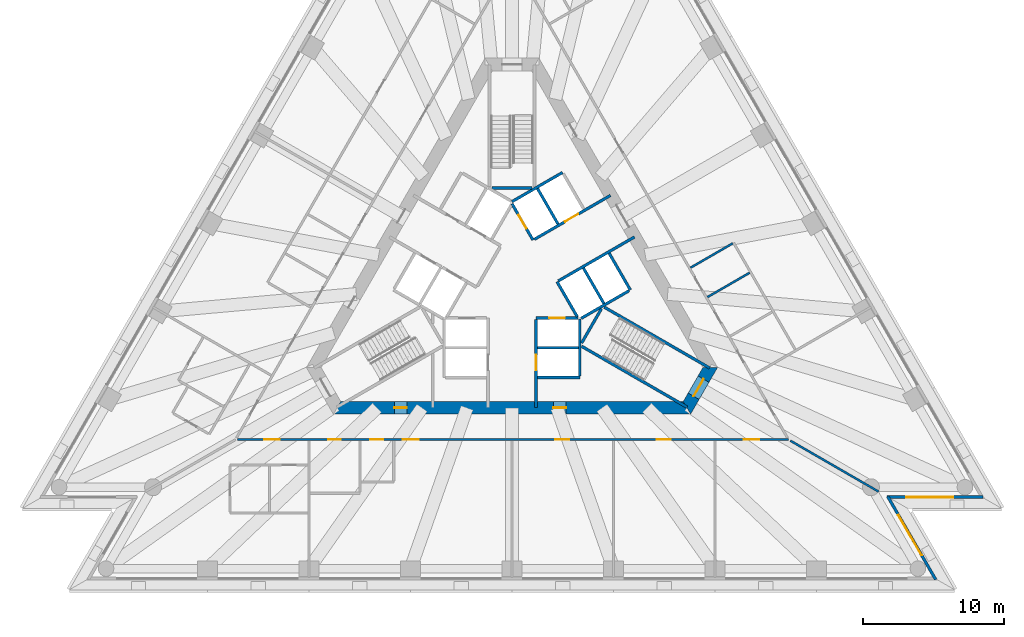
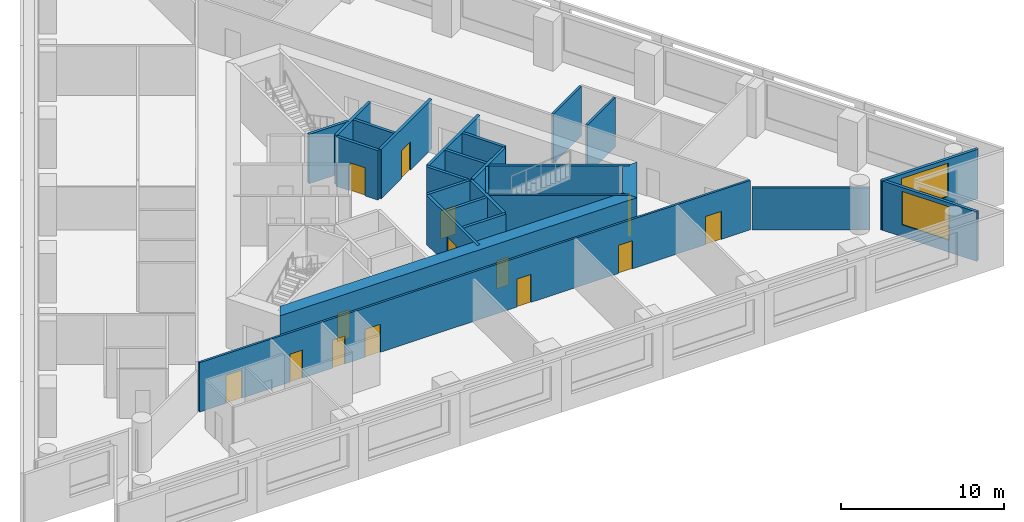
# One storey, part 5 of 11: 26 walls, 14 doors, 2 windows, 16 openings.
"""IFC4 building model written with IfcOpenShell, lengths in metres."""

from ifc_helpers import new_model, si_unit, direction, frame, frame_2d, origin, place, context, subcontext, project, spatial, polyline, rectangle, outline, extrude, material, layer, layer_set, layer_usage, type_object, element, fill, save


model = new_model("IFC4")

# Units and contexts
model_context = context("Model", 3, precision=1e-05, world=origin(), true_north=direction((0.0, 1.0)))
body_context = subcontext(model_context, "Body", "Model", "MODEL_VIEW")
ifc_project = project(units=[si_unit("LENGTHUNIT", "METRE"), si_unit("AREAUNIT", "SQUARE_METRE"), si_unit("VOLUMEUNIT", "CUBIC_METRE"), si_unit("PLANEANGLEUNIT", "RADIAN"), si_unit("MASSUNIT", "GRAM", prefix="KILO")], contexts=[model_context])

# Site, building, storey
site_placement = place(None, origin())
site = spatial("IfcSite", under=ifc_project, at=site_placement, CompositionType="ELEMENT")
building_placement = place(site_placement, origin())
building = spatial("IfcBuilding", under=site, at=building_placement, Name="Triada Interchange Tower", CompositionType="ELEMENT")
storey_placement = place(building_placement, frame((0.0, 0.0, 83.300048828125)))
storey = spatial("IfcBuildingStorey", under=building, at=storey_placement, Name="L18", CompositionType="ELEMENT", Elevation=83.300048828125)

# Walls
ifc_material_1 = material(Name="Concrete C30/37", Category="concrete")
ifc_layer_1 = layer(ifc_material_1, 0.199951171875)
ifc_layer_set_1 = layer_set([ifc_layer_1], Name="CORE WALL 200 EI 120")
wall_type_1 = type_object("IfcWallType", Name="CORE WALL 200 EI 120", PredefinedType="SOLIDWALL", material=ifc_layer_set_1)
wall_1_placement = place(storey_placement, frame((1.800048828125, -4.800048828125, 0.0), z_axis=(0.0, 0.0, 1.0), x_axis=(1.0, 0.0, 0.0)))
element("IfcWall", 1, at=wall_1_placement, inside=storey, type_object=wall_type_1, Name="Wall L18 45", PredefinedType="SOLIDWALL", context=body_context, shape_type="SweptSolid", body=[
    extrude(rectangle(XDim=2.89990234375, YDim=0.199951171875, at=frame_2d((1.449951171875, 0.0))), origin(), (0.0, 0.0, 1.0), 3.699951171875),
])
wall_2_placement = place(storey_placement, frame((1.800048828125, -6.89990234375, 0.0), z_axis=(0.0, 0.0, 1.0), x_axis=(1.0, 0.0, 0.0)))
element("IfcWall", 2, at=wall_2_placement, inside=storey, type_object=wall_type_1, Name="Wall L18 48", PredefinedType="SOLIDWALL", context=body_context, shape_type="SweptSolid", body=[
    extrude(rectangle(XDim=3.0, YDim=0.199951171875, at=frame_2d((1.5, 0.0))), origin(), (0.0, 0.0, 1.0), 3.699951171875),
])

# Wall, opening, door
wall_3_placement = place(storey_placement, frame((1.702880859375, -2.699951171875, 0.0), z_axis=(0.0, 0.0, 1.0), x_axis=(1.0, 0.0, 0.0)))
wall_3 = element("IfcWall", 3, at=wall_3_placement, inside=storey, type_object=wall_type_1, Name="Wall L18 51", PredefinedType="SOLIDWALL", context=body_context, shape_type="SweptSolid", body=[
    extrude(rectangle(XDim=2.97314453125, YDim=0.199951171875, at=frame_2d((1.486572265625, 0.0))), origin(), (0.0, 0.0, 1.0), 3.699951171875),
])
opening_1_placement = place(wall_3_placement, frame((0.93603515625, 0.0, 0.0)))
opening_1 = element("IfcOpeningElement", 4, at=opening_1_placement, cuts=wall_3, Name="Opening LD-LR1", PredefinedType="OPENING", context=body_context, shape_type="SweptSolid", body=[
    extrude(rectangle(XDim=1.10009765625, YDim=2.10009765625, at=frame_2d((0.550048828125, 1.050048828125))), frame((0.0, 0.10986328125, 0.0), z_axis=(0.0, -1.0, 0.0), x_axis=(1.0, 0.0, 0.0)), (0.0, 0.0, 1.0), 0.219970703125),
])
ifc_material_2 = material(Name="Steel S235 door leaf", Category="steel")
door_type_1 = type_object("IfcDoorType", Name="LIFT LANDING DOOR 1100 EI 120", OperationType="SLIDING_TO_LEFT", PredefinedType="DOOR", material=ifc_material_2)
door_1_placement = place(opening_1_placement, origin())
door_1 = element("IfcDoor", 5, at=door_1_placement, inside=storey, type_object=door_type_1, Name="LR1 landing door L18", OperationType="SLIDING_TO_LEFT", OverallHeight=2.10009765625, OverallWidth=1.10009765625, PredefinedType="DOOR", context=body_context, shape_type="SweptSolid", body=[
    extrude(rectangle(XDim=1.10009765625, YDim=2.10009765625, at=frame_2d((0.550048828125, 1.050048828125))), frame((0.0, 0.02490234375, 0.0), z_axis=(0.0, -1.0, 0.0), x_axis=(1.0, 0.0, 0.0)), (0.0, 0.0, 1.0), 0.050048828125),
])
fill(opening_1, door_1)

# Wall
wall_4_placement = place(storey_placement, frame((-0.001953125, 5.541015625, 0.0), z_axis=(0.0, 0.0, 1.0), x_axis=(0.86600155993, 0.500041296494, 0.0)))
element("IfcWall", 6, at=wall_4_placement, inside=storey, type_object=wall_type_1, Name="Wall L18 52", PredefinedType="SOLIDWALL", context=body_context, shape_type="SweptSolid", body=[
    extrude(rectangle(XDim=4.131591796875, YDim=0.199951171875, at=frame_2d((2.06591796875, 0.0))), origin(), (0.0, 0.0, 1.0), 3.699951171875),
])

# Wall, opening, door
wall_5_placement = place(storey_placement, frame((0.0, 5.39990234375, 0.0), z_axis=(0.0, 0.0, 1.0), x_axis=(0.500103862429, -0.865965430478, 0.0)))
wall_5 = element("IfcWall", 7, at=wall_5_placement, inside=storey, type_object=wall_type_1, Name="Wall L18 53", PredefinedType="SOLIDWALL", context=body_context, shape_type="SweptSolid", body=[
    extrude(rectangle(XDim=2.973388671875, YDim=0.199951171875, at=frame_2d((1.48681640625, 0.0))), origin(), (0.0, 0.0, 1.0), 3.699951171875),
])
opening_2_placement = place(wall_5_placement, frame((0.93701171875, 0.0, 0.0)))
opening_2 = element("IfcOpeningElement", 8, at=opening_2_placement, cuts=wall_5, Name="Opening LD-LR5", PredefinedType="OPENING", context=body_context, shape_type="SweptSolid", body=[
    extrude(rectangle(XDim=1.10009765625, YDim=2.10009765625, at=frame_2d((0.550048828125, 1.050048828125))), frame((0.0, 0.10986328125, 0.0), z_axis=(0.0, -1.0, 0.0), x_axis=(1.0, 0.0, 0.0)), (0.0, 0.0, 1.0), 0.219970703125),
])
door_2_placement = place(opening_2_placement, origin())
door_2 = element("IfcDoor", 9, at=door_2_placement, inside=storey, type_object=door_type_1, Name="LR5 landing door L18", OperationType="SLIDING_TO_LEFT", OverallHeight=2.10009765625, OverallWidth=1.10009765625, PredefinedType="DOOR", context=body_context, shape_type="SweptSolid", body=[
    extrude(rectangle(XDim=1.10009765625, YDim=2.10009765625, at=frame_2d((0.550048828125, 1.050048828125))), frame((0.0, 0.02490234375, 0.0), z_axis=(0.0, -1.0, 0.0), x_axis=(1.0, 0.0, 0.0)), (0.0, 0.0, 1.0), 0.050048828125),
])
fill(opening_2, door_2)

# Wall
wall_6_placement = place(storey_placement, frame((3.18994140625, -0.125, 0.0), z_axis=(0.0, 0.0, 1.0), x_axis=(0.499988658015, -0.866031951983, 0.0)))
element("IfcWall", 10, at=wall_6_placement, inside=storey, type_object=wall_type_1, Name="Wall L18 54", PredefinedType="SOLIDWALL", context=body_context, shape_type="SweptSolid", body=[
    extrude(rectangle(XDim=2.85791015625, YDim=0.199951171875, at=frame_2d((1.428955078125, 0.0))), origin(), (0.0, 0.0, 1.0), 3.699951171875),
])

# Wall, opening, door
wall_7_placement = place(storey_placement, frame((1.577880859375, 2.8740234375, 0.0), z_axis=(0.0, 0.0, 1.0), x_axis=(0.866031483044, 0.499989470266, 0.0)))
wall_7 = element("IfcWall", 11, at=wall_7_placement, inside=storey, type_object=wall_type_1, Name="Wall L18 55", PredefinedType="SOLIDWALL", context=body_context, shape_type="SweptSolid", body=[
    extrude(rectangle(XDim=6.226318359375, YDim=0.199951171875, at=frame_2d((3.11328125, 0.0))), origin(), (0.0, 0.0, 1.0), 3.699951171875),
])
opening_3_placement = place(wall_7_placement, frame((2.49609375, 0.0, 0.0)))
opening_3 = element("IfcOpeningElement", 12, at=opening_3_placement, cuts=wall_7, Name="Opening LD-LR6", PredefinedType="OPENING", context=body_context, shape_type="SweptSolid", body=[
    extrude(rectangle(XDim=1.10009765625, YDim=2.10009765625, at=frame_2d((0.550048828125, 1.050048828125))), frame((0.0, 0.10986328125, 0.0), z_axis=(0.0, -1.0, 0.0), x_axis=(1.0, 0.0, 0.0)), (0.0, 0.0, 1.0), 0.219970703125),
])
door_3_placement = place(opening_3_placement, origin())
door_3 = element("IfcDoor", 13, at=door_3_placement, inside=storey, type_object=door_type_1, Name="LR6 landing door L18", OperationType="SLIDING_TO_LEFT", OverallHeight=2.10009765625, OverallWidth=1.10009765625, PredefinedType="DOOR", context=body_context, shape_type="SweptSolid", body=[
    extrude(rectangle(XDim=1.10009765625, YDim=2.10009765625, at=frame_2d((0.550048828125, 1.050048828125))), frame((0.0, 0.02490234375, 0.0), z_axis=(0.0, -1.0, 0.0), x_axis=(1.0, 0.0, 0.0)), (0.0, 0.0, 1.0), 0.050048828125),
])
fill(opening_3, door_3)

wall_8_placement = place(storey_placement, frame((1.699951171875, -9.030029296875, 0.0), z_axis=(0.0, 0.0, 1.0), x_axis=(0.0, 1.0, 0.0)))
wall_8 = element("IfcWall", 14, at=wall_8_placement, inside=storey, type_object=wall_type_1, Name="Wall L18 56", PredefinedType="SOLIDWALL", context=body_context, shape_type="SweptSolid", body=[
    extrude(rectangle(XDim=6.22705078125, YDim=0.199951171875, at=frame_2d((3.113525390625, 0.0))), origin(), (0.0, 0.0, 1.0), 3.699951171875),
])
opening_4_placement = place(wall_8_placement, frame((2.6298828125, 0.0, 0.0)))
opening_4 = element("IfcOpeningElement", 15, at=opening_4_placement, cuts=wall_8, Name="Opening LD-LR2", PredefinedType="OPENING", context=body_context, shape_type="SweptSolid", body=[
    extrude(rectangle(XDim=1.10009765625, YDim=2.10009765625, at=frame_2d((0.550048828125, 1.050048828125))), frame((0.0, 0.10986328125, 0.0), z_axis=(0.0, -1.0, 0.0), x_axis=(1.0, 0.0, 0.0)), (0.0, 0.0, 1.0), 0.219970703125),
])
door_4_placement = place(opening_4_placement, origin())
door_4 = element("IfcDoor", 16, at=door_4_placement, inside=storey, type_object=door_type_1, Name="LR2 landing door L18", OperationType="SLIDING_TO_LEFT", OverallHeight=2.10009765625, OverallWidth=1.10009765625, PredefinedType="DOOR", context=body_context, shape_type="SweptSolid", body=[
    extrude(rectangle(XDim=1.10009765625, YDim=2.10009765625, at=frame_2d((0.550048828125, 1.050048828125))), frame((0.0, 0.02490234375, 0.0), z_axis=(0.0, -1.0, 0.0), x_axis=(1.0, 0.0, 0.0)), (0.0, 0.0, 1.0), 0.050048828125),
])
fill(opening_4, door_4)

# Walls
wall_9_placement = place(storey_placement, frame((4.800048828125, -6.800048828125, 0.0), z_axis=(0.0, 0.0, 1.0), x_axis=(0.0, 1.0, 0.0)))
element("IfcWall", 17, at=wall_9_placement, inside=storey, type_object=wall_type_1, Name="Wall L18 57", PredefinedType="SOLIDWALL", context=body_context, shape_type="SweptSolid", body=[
    extrude(rectangle(XDim=4.029052734375, YDim=0.199951171875, at=frame_2d((2.0146484375, 0.0))), origin(), (0.0, 0.0, 1.0), 3.699951171875),
])
wall_10_placement = place(storey_placement, frame((3.278076171875, -0.071044921875, 0.0), z_axis=(0.0, 0.0, 1.0), x_axis=(0.865953757655, 0.500124074208, 0.0)))
element("IfcWall", 18, at=wall_10_placement, inside=storey, type_object=wall_type_1, Name="Wall L18 58", PredefinedType="SOLIDWALL", context=body_context, shape_type="SweptSolid", body=[
    extrude(rectangle(XDim=6.2265625, YDim=0.199951171875, at=frame_2d((3.11328125, 0.0))), origin(), (0.0, 0.0, 1.0), 3.699951171875),
])
wall_11_placement = place(storey_placement, frame((6.8759765625, 1.89111328125, 0.0), z_axis=(0.0, 0.0, 1.0), x_axis=(0.499990139034, -0.866031096941, 0.0)))
element("IfcWall", 19, at=wall_11_placement, inside=storey, type_object=wall_type_1, Name="Wall L18 60", PredefinedType="SOLIDWALL", context=body_context, shape_type="SweptSolid", body=[
    extrude(rectangle(XDim=3.0, YDim=0.199951171875, at=frame_2d((1.5, 0.0))), origin(), (0.0, 0.0, 1.0), 3.699951171875),
])
for number, where, z_axis, x_axis, name in (
    (20, (1.806884765625, 6.469970703125, 0.0), (0.0, 0.0, 1.0), (0.50012328804, -0.865954211699, 0.0), "Wall L18 61"),
    (21, (5.056884765625, 0.841064453125, 0.0), (0.0, 0.0, 1.0), (0.50012328804, -0.865954211699, 0.0), "Wall L18 62"),
):
    element("IfcWall", number, at=place(storey_placement, frame(where, z_axis=z_axis, x_axis=x_axis)), inside=storey, type_object=wall_type_1, Name=name, PredefinedType="SOLIDWALL", context=body_context, shape_type="SweptSolid", body=[
        extrude(rectangle(XDim=2.899658203125, YDim=0.199951171875, at=frame_2d((1.44970703125, 0.0))), origin(), (0.0, 0.0, 1.0), 3.699951171875),
    ])
wall_12_placement = place(storey_placement, frame((4.89990234375, -2.714111328125, 0.0), z_axis=(0.0, 0.0, 1.0), x_axis=(0.865992350556, 0.500057245502, 0.0)))
element("IfcWall", 22, at=wall_12_placement, inside=storey, type_object=wall_type_1, Name="Wall L18 63", PredefinedType="SOLIDWALL", context=body_context, shape_type="SweptSolid", body=[
    extrude(rectangle(XDim=3.91357421875, YDim=0.199951171875, at=frame_2d((1.956787109375, 0.0))), origin(), (0.0, 0.0, 1.0), 3.699951171875),
])
ifc_layer_2 = layer(ifc_material_1, 0.199951171875)
ifc_layer_set_2 = layer_set([ifc_layer_2], Name="CORE WALL 200 REI 240")
wall_type_2 = type_object("IfcWallType", Name="CORE WALL 200 REI 240", PredefinedType="SOLIDWALL", material=ifc_layer_set_2)
wall_13_placement = place(storey_placement, frame((-1.39990234375, 6.5, 0.0), z_axis=(0.0, 0.0, 1.0), x_axis=(1.0, 0.0, 0.0)))
element("IfcWall", 23, at=wall_13_placement, inside=storey, type_object=wall_type_2, Name="Wall L18 85", PredefinedType="SOLIDWALL", context=body_context, shape_type="SweptSolid", body=[
    extrude(rectangle(XDim=2.7998046875, YDim=0.199951171875, at=frame_2d((1.39990234375, 0.0))), origin(), (0.0, 0.0, 1.0), 3.699951171875),
])
wall_14_placement = place(storey_placement, frame((4.928955078125, -4.693115234375, 0.0), z_axis=(0.0, 0.0, 1.0), x_axis=(0.866010975815, -0.500024989144, 0.0)))
element("IfcWall", 24, at=wall_14_placement, inside=storey, type_object=wall_type_2, Name="Wall L18 87", PredefinedType="SOLIDWALL", context=body_context, shape_type="SweptSolid", body=[
    extrude(rectangle(XDim=8.615234375, YDim=0.199951171875, at=frame_2d((4.3076171875, 0.0))), origin(), (0.0, 0.0, 1.0), 3.699951171875),
])
wall_15_placement = place(storey_placement, frame((4.928955078125, -4.4619140625, 0.0), z_axis=(0.0, 0.0, 1.0), x_axis=(0.500200581029, 0.865909567298, 0.0)))
element("IfcWall", 25, at=wall_15_placement, inside=storey, type_object=wall_type_2, Name="Wall L18 88", PredefinedType="SOLIDWALL", context=body_context, shape_type="SweptSolid", body=[
    extrude(rectangle(XDim=2.799072265625, YDim=0.199951171875, at=frame_2d((1.3994140625, 0.0))), origin(), (0.0, 0.0, 1.0), 3.699951171875),
])
wall_16_placement = place(storey_placement, frame((6.529052734375, -1.922119140625, 0.0), z_axis=(0.0, 0.0, 1.0), x_axis=(0.866060059011, -0.499939970583, 0.0)))
element("IfcWall", 26, at=wall_16_placement, inside=storey, type_object=wall_type_2, Name="Wall L18 89", PredefinedType="SOLIDWALL", context=body_context, shape_type="SweptSolid", body=[
    extrude(rectangle(XDim=8.61474609375, YDim=0.199951171875, at=frame_2d((4.307373046875, 0.0))), origin(), (0.0, 0.0, 1.0), 3.699951171875),
])

# Wall, openings, doors
ifc_material_3 = material(Name="Concrete C70/85", Category="concrete")
ifc_layer_3 = layer(ifc_material_3, 0.89990234375)
ifc_layer_set_3 = layer_set([ifc_layer_3], Name="Core wall A 900")
wall_type_3 = type_object("IfcWallType", Name="Core wall A 900", PredefinedType="SHEAR", material=ifc_layer_set_3)
wall_17_placement = place(storey_placement, frame((-12.384033203125, -9.050048828125, -0.300048828125), z_axis=(0.0, 0.0, 1.0), x_axis=(1.0, 0.0, 0.0)))
wall_17 = element("IfcWall", 27, at=wall_17_placement, inside=storey, type_object=wall_type_3, Name="Core wall WA04 L18", PredefinedType="SHEAR", context=body_context, shape_type="SweptSolid", body=[
    extrude(outline(polyline([(-0.260009765625, -0.449951171875), (1.685302734375, -0.449951171875), (3.63037109375, -0.449951171875), (5.57568359375, -0.449951171875), (7.52099609375, -0.449951171875), (9.466064453125, -0.449951171875), (11.411376953125, -0.449951171875), (13.356689453125, -0.449951171875), (15.302001953125, -0.449951171875), (17.2470703125, -0.449951171875), (19.1923828125, -0.449951171875), (21.1376953125, -0.449951171875), (23.082763671875, -0.449951171875), (25.028076171875, -0.449951171875), (24.508056640625, 0.449951171875), (22.642822265625, 0.449951171875), (20.777587890625, 0.449951171875), (18.912353515625, 0.449951171875), (17.047119140625, 0.449951171875), (15.181884765625, 0.449951171875), (13.316650390625, 0.449951171875), (11.451416015625, 0.449951171875), (9.586181640625, 0.449951171875), (7.720947265625, 0.449951171875), (5.855712890625, 0.449951171875), (3.990478515625, 0.449951171875), (2.125244140625, 0.449951171875), (0.260009765625, 0.449951171875), (-0.260009765625, -0.449951171875)])), origin(), (0.0, 0.0, 1.0), 4.0),
])
opening_5_placement = place(wall_17_placement, frame((4.050048828125, 0.0, 0.300048828125)))
opening_5 = element("IfcOpeningElement", 28, at=opening_5_placement, cuts=wall_17, Name="Opening D18-44", PredefinedType="OPENING", context=body_context, shape_type="SweptSolid", body=[
    extrude(rectangle(XDim=0.89990234375, YDim=2.10009765625, at=frame_2d((0.449951171875, 1.050048828125))), frame((0.0, 0.4599609375, 0.0), z_axis=(0.0, -1.0, 0.0), x_axis=(1.0, 0.0, 0.0)), (0.0, 0.0, 1.0), 0.919921875),
])
opening_6_placement = place(wall_17_placement, frame((15.320068359375, 0.0, 0.300048828125)))
opening_6 = element("IfcOpeningElement", 29, at=opening_6_placement, cuts=wall_17, Name="Opening D18-45", PredefinedType="OPENING", context=body_context, shape_type="SweptSolid", body=[
    extrude(rectangle(XDim=0.89990234375, YDim=2.10009765625, at=frame_2d((0.449951171875, 1.050048828125))), frame((0.0, 0.4599609375, 0.0), z_axis=(0.0, -1.0, 0.0), x_axis=(1.0, 0.0, 0.0)), (0.0, 0.0, 1.0), 0.919921875),
])
door_type_2 = type_object("IfcDoorType", Name="RISER ACCESS DOOR 900 EI2 45-C5S200", OperationType="NOTDEFINED", PredefinedType="DOOR", material=ifc_material_2)
door_5_placement = place(opening_5_placement, origin())
door_5 = element("IfcDoor", 30, at=door_5_placement, inside=storey, type_object=door_type_2, Name="Door D18-44 L18", OperationType="SINGLE_SWING_LEFT", OverallHeight=2.10009765625, OverallWidth=0.89990234375, PredefinedType="DOOR", context=body_context, shape_type="SweptSolid", body=[
    extrude(rectangle(XDim=0.89990234375, YDim=2.10009765625, at=frame_2d((0.449951171875, 1.050048828125))), frame((0.0, 0.02490234375, 0.0), z_axis=(0.0, -1.0, 0.0), x_axis=(1.0, 0.0, 0.0)), (0.0, 0.0, 1.0), 0.050048828125),
])
fill(opening_5, door_5)
door_type_3 = type_object("IfcDoorType", Name="SERVICE DOOR 900 EI2 45-C5S200", OperationType="NOTDEFINED", PredefinedType="DOOR", material=ifc_material_2)
door_6_placement = place(opening_6_placement, origin())
door_6 = element("IfcDoor", 31, at=door_6_placement, inside=storey, type_object=door_type_3, Name="Door D18-45 L18", OperationType="SINGLE_SWING_LEFT", OverallHeight=2.10009765625, OverallWidth=0.89990234375, PredefinedType="DOOR", context=body_context, shape_type="SweptSolid", body=[
    extrude(rectangle(XDim=0.89990234375, YDim=2.10009765625, at=frame_2d((0.449951171875, 1.050048828125))), frame((0.0, 0.02490234375, 0.0), z_axis=(0.0, -1.0, 0.0), x_axis=(1.0, 0.0, 0.0)), (0.0, 0.0, 1.0), 0.050048828125),
])
fill(opening_6, door_6)

# Wall, opening, door
wall_18_placement = place(storey_placement, frame((12.384033203125, -9.050048828125, -0.300048828125), z_axis=(0.0, 0.0, 1.0), x_axis=(0.500111984565, 0.865960739811, 0.0)))
wall_18 = element("IfcWall", 32, at=wall_18_placement, inside=storey, type_object=wall_type_3, Name="Core wall WA05 L18", PredefinedType="SHEAR", context=body_context, shape_type="SweptSolid", body=[
    extrude(outline(polyline([(-0.260009765625, -0.449951171875), (1.6455078125, -0.449462890625), (3.551025390625, -0.448974609375), (3.031005859375, 0.449951171875), (1.6455078125, 0.449951171875), (0.260009765625, 0.449951171875), (-0.260009765625, -0.449951171875)])), origin(), (0.0, 0.0, 1.0), 4.0),
])
opening_7_placement = place(wall_18_placement, frame((0.946044921875, 0.0, 0.300048828125)))
opening_7 = element("IfcOpeningElement", 33, at=opening_7_placement, cuts=wall_18, Name="Opening D18-41", PredefinedType="OPENING", context=body_context, shape_type="SweptSolid", body=[
    extrude(rectangle(XDim=1.39990234375, YDim=2.10009765625, at=frame_2d((0.699951171875, 1.050048828125))), frame((0.0, 0.4599609375, 0.0), z_axis=(0.0, -1.0, 0.0), x_axis=(1.0, 0.0, 0.0)), (0.0, 0.0, 1.0), 0.919921875),
])
door_type_4 = type_object("IfcDoorType", Name="STAIR DOOR 1400 EI2 90-C5S200", OperationType="DOUBLE_DOOR_SINGLE_SWING", PredefinedType="DOOR", material=ifc_material_2)
door_7_placement = place(opening_7_placement, origin())
door_7 = element("IfcDoor", 34, at=door_7_placement, inside=storey, type_object=door_type_4, Name="Door D18-41 L18", OperationType="DOUBLE_DOOR_SINGLE_SWING", OverallHeight=2.10009765625, OverallWidth=1.39990234375, PredefinedType="DOOR", context=body_context, shape_type="SweptSolid", body=[
    extrude(rectangle(XDim=1.39990234375, YDim=2.10009765625, at=frame_2d((0.699951171875, 1.050048828125))), frame((0.0, 0.02490234375, 0.0), z_axis=(0.0, -1.0, 0.0), x_axis=(1.0, 0.0, 0.0)), (0.0, 0.0, 1.0), 0.050048828125),
])
fill(opening_7, door_7)

# Wall, opening, window
ifc_material_4 = material(Name="Cement board")
ifc_layer_4 = layer(ifc_material_4, 0.02001953125, Name="Cement board cladding")
ifc_material_5 = material(Name="Sheathing board")
ifc_layer_5 = layer(ifc_material_5, 0.014892578125, Name="Sheathing board")
ifc_material_6 = material(Name="Mineral wool")
ifc_layer_6 = layer(ifc_material_6, 0.14990234375, Name="Mineral wool between steel studs")
ifc_material_7 = material(Name="Gypsum board")
ifc_layer_7 = layer(ifc_material_7, 0.014892578125, Name="Plasterboard lining")
ifc_layer_set_4 = layer_set([ifc_layer_4, ifc_layer_5, ifc_layer_6, ifc_layer_7], Name="External wall 200")
ifc_layer_usage = layer_usage(ifc_layer_set_4, "AXIS2", "POSITIVE", -0.10009765625)
wall_type_4 = type_object("IfcWallType", Name="External wall 200", PredefinedType="ELEMENTEDWALL", material=ifc_layer_set_4)
wall_19_placement = place(storey_placement, frame((29.991943359375, -21.20703125, 0.0), z_axis=(0.0, 0.0, 1.0), x_axis=(-0.499983120418, 0.866035148996, 0.0)))
wall_19 = element("IfcWall", 35, at=wall_19_placement, inside=storey, type_object=wall_type_4, material=ifc_layer_usage, Name="External wall L18 SE-1", PredefinedType="ELEMENTEDWALL", context=body_context, shape_type="SweptSolid", body=[
    extrude(rectangle(XDim=6.810302734375, YDim=0.199951171875, at=frame_2d((3.4052734375, 0.0))), origin(), (0.0, 0.0, 1.0), 3.699951171875),
])
opening_8_placement = place(wall_19_placement, frame((1.989990234375, 0.0, 0.89990234375)))
opening_8 = element("IfcOpeningElement", 36, at=opening_8_placement, cuts=wall_19, Name="Opening WA19", PredefinedType="OPENING", context=body_context, shape_type="SweptSolid", body=[
    extrude(rectangle(XDim=3.300048828125, YDim=2.5, at=frame_2d((1.64990234375, 1.25))), frame((0.0, 0.10986328125, 0.0), z_axis=(0.0, -1.0, 0.0), x_axis=(1.0, 0.0, 0.0)), (0.0, 0.0, 1.0), 0.219970703125),
])
ifc_material_8 = material(Name="Double glazed aluminium window", Category="aluminium")
window_type = type_object("IfcWindowType", Name="Ribbon window A pocket", PartitioningType="SINGLE_PANEL", PredefinedType="WINDOW", material=ifc_material_8)
window_1_placement = place(opening_8_placement, origin())
window_1 = element("IfcWindow", 37, at=window_1_placement, inside=storey, type_object=window_type, Name="Window L18 SE-1 1", OverallHeight=2.5, OverallWidth=3.300048828125, PartitioningType="SINGLE_PANEL", PredefinedType="WINDOW", context=body_context, shape_type="SweptSolid", body=[
    extrude(rectangle(XDim=3.300048828125, YDim=2.5, at=frame_2d((1.64990234375, 1.25))), frame((0.0, 0.030029296875, 0.0), z_axis=(0.0, -1.0, 0.0), x_axis=(1.0, 0.0, 0.0)), (0.0, 0.0, 1.0), 0.06005859375),
])
fill(opening_8, window_1)

wall_20_placement = place(storey_placement, frame((26.531982421875, -15.3701171875, 0.0), z_axis=(0.0, 0.0, 1.0), x_axis=(1.0, 0.0, 0.0)))
wall_20 = element("IfcWall", 38, at=wall_20_placement, inside=storey, type_object=wall_type_4, material=ifc_layer_usage, Name="External wall L18 SE-2", PredefinedType="ELEMENTEDWALL", context=body_context, shape_type="SweptSolid", body=[
    extrude(rectangle(XDim=6.81005859375, YDim=0.199951171875, at=frame_2d((3.405029296875, 0.0))), origin(), (0.0, 0.0, 1.0), 3.699951171875),
])
opening_9_placement = place(wall_20_placement, frame((1.389892578125, 0.0, 0.89990234375)))
opening_9 = element("IfcOpeningElement", 39, at=opening_9_placement, cuts=wall_20, Name="Opening WA20", PredefinedType="OPENING", context=body_context, shape_type="SweptSolid", body=[
    extrude(rectangle(XDim=3.300048828125, YDim=2.5, at=frame_2d((1.64990234375, 1.25))), frame((0.0, 0.10986328125, 0.0), z_axis=(0.0, -1.0, 0.0), x_axis=(1.0, 0.0, 0.0)), (0.0, 0.0, 1.0), 0.219970703125),
])
window_2_placement = place(opening_9_placement, origin())
window_2 = element("IfcWindow", 40, at=window_2_placement, inside=storey, type_object=window_type, Name="Window L18 SE-2 1", OverallHeight=2.5, OverallWidth=3.300048828125, PartitioningType="SINGLE_PANEL", PredefinedType="WINDOW", context=body_context, shape_type="SweptSolid", body=[
    extrude(rectangle(XDim=3.300048828125, YDim=2.5, at=frame_2d((1.64990234375, 1.25))), frame((0.0, 0.030029296875, 0.0), z_axis=(0.0, -1.0, 0.0), x_axis=(1.0, 0.0, 0.0)), (0.0, 0.0, 1.0), 0.06005859375),
])
fill(opening_9, window_2)

# Wall, openings, doors
ifc_material_9 = material(Name="Gypsum board partition")
ifc_layer_8 = layer(ifc_material_9, 0.14990234375)
ifc_layer_set_5 = layer_set([ifc_layer_8], Name="PARTITION 150 EI 180")
wall_type_5 = type_object("IfcWallType", Name="PARTITION 150 EI 180", PredefinedType="PARTITIONING", material=ifc_layer_set_5)
wall_21_placement = place(storey_placement, frame((-19.422119140625, -11.300048828125, 0.0), z_axis=(0.0, 0.0, 1.0), x_axis=(1.0, 0.0, 0.0)))
wall_21 = element("IfcWall", 41, at=wall_21_placement, inside=storey, type_object=wall_type_5, Name="Wall L18 4", PredefinedType="PARTITIONING", context=body_context, shape_type="SweptSolid", body=[
    extrude(rectangle(XDim=38.994140625, YDim=0.14990234375, at=frame_2d((19.4970703125, 0.0))), origin(), (0.0, 0.0, 1.0), 3.699951171875),
])
opening_10_placement = place(wall_21_placement, frame((1.89990234375, 0.0, 0.0)))
opening_10 = element("IfcOpeningElement", 42, at=opening_10_placement, cuts=wall_21, Name="Opening D18-11", PredefinedType="OPENING", context=body_context, shape_type="SweptSolid", body=[
    extrude(rectangle(XDim=1.10009765625, YDim=2.10009765625, at=frame_2d((0.550048828125, 1.050048828125))), frame((0.0, 0.0849609375, 0.0), z_axis=(0.0, -1.0, 0.0), x_axis=(1.0, 0.0, 0.0)), (0.0, 0.0, 1.0), 0.169921875),
])
opening_11_placement = place(wall_21_placement, frame((11.705078125, 0.0, 0.0)))
opening_11 = element("IfcOpeningElement", 43, at=opening_11_placement, cuts=wall_21, Name="Opening D18-14", PredefinedType="OPENING", context=body_context, shape_type="SweptSolid", body=[
    extrude(rectangle(XDim=1.10009765625, YDim=2.10009765625, at=frame_2d((0.550048828125, 1.050048828125))), frame((0.0, 0.0849609375, 0.0), z_axis=(0.0, -1.0, 0.0), x_axis=(1.0, 0.0, 0.0)), (0.0, 0.0, 1.0), 0.169921875),
])
opening_12_placement = place(wall_21_placement, frame((6.405029296875, 0.0, 0.0)))
opening_12 = element("IfcOpeningElement", 44, at=opening_12_placement, cuts=wall_21, Name="Opening D18-15", PredefinedType="OPENING", context=body_context, shape_type="SweptSolid", body=[
    extrude(rectangle(XDim=0.89990234375, YDim=2.10009765625, at=frame_2d((0.449951171875, 1.050048828125))), frame((0.0, 0.0849609375, 0.0), z_axis=(0.0, -1.0, 0.0), x_axis=(1.0, 0.0, 0.0)), (0.0, 0.0, 1.0), 0.169921875),
])
opening_13_placement = place(wall_21_placement, frame((9.405029296875, 0.0, 0.0)))
opening_13 = element("IfcOpeningElement", 45, at=opening_13_placement, cuts=wall_21, Name="Opening D18-16", PredefinedType="OPENING", context=body_context, shape_type="SweptSolid", body=[
    extrude(rectangle(XDim=0.89990234375, YDim=2.10009765625, at=frame_2d((0.449951171875, 1.050048828125))), frame((0.0, 0.0849609375, 0.0), z_axis=(0.0, -1.0, 0.0), x_axis=(1.0, 0.0, 0.0)), (0.0, 0.0, 1.0), 0.169921875),
])
opening_14_placement = place(wall_21_placement, frame((22.471923828125, 0.0, 0.0)))
opening_14 = element("IfcOpeningElement", 46, at=opening_14_placement, cuts=wall_21, Name="Opening D18-17", PredefinedType="OPENING", context=body_context, shape_type="SweptSolid", body=[
    extrude(rectangle(XDim=1.0, YDim=2.10009765625, at=frame_2d((0.5, 1.050048828125))), frame((0.0, 0.0849609375, 0.0), z_axis=(0.0, -1.0, 0.0), x_axis=(1.0, 0.0, 0.0)), (0.0, 0.0, 1.0), 0.169921875),
])
opening_15_placement = place(wall_21_placement, frame((29.656005859375, 0.0, 0.0)))
opening_15 = element("IfcOpeningElement", 47, at=opening_15_placement, cuts=wall_21, Name="Opening D18-18", PredefinedType="OPENING", context=body_context, shape_type="SweptSolid", body=[
    extrude(rectangle(XDim=1.0, YDim=2.10009765625, at=frame_2d((0.5, 1.050048828125))), frame((0.0, 0.0849609375, 0.0), z_axis=(0.0, -1.0, 0.0), x_axis=(1.0, 0.0, 0.0)), (0.0, 0.0, 1.0), 0.169921875),
])
opening_16_placement = place(wall_21_placement, frame((35.839111328125, 0.0, 0.0)))
opening_16 = element("IfcOpeningElement", 48, at=opening_16_placement, cuts=wall_21, Name="Opening D18-19", PredefinedType="OPENING", context=body_context, shape_type="SweptSolid", body=[
    extrude(rectangle(XDim=1.10009765625, YDim=2.10009765625, at=frame_2d((0.550048828125, 1.050048828125))), frame((0.0, 0.0849609375, 0.0), z_axis=(0.0, -1.0, 0.0), x_axis=(1.0, 0.0, 0.0)), (0.0, 0.0, 1.0), 0.169921875),
])
door_type_5 = type_object("IfcDoorType", Name="ROOM DOOR 1000 EI2 90-C5S200", OperationType="NOTDEFINED", PredefinedType="DOOR", material=ifc_material_2)
door_8_placement = place(opening_14_placement, origin())
door_8 = element("IfcDoor", 49, at=door_8_placement, inside=storey, type_object=door_type_5, Name="Door D18-17 L18", OperationType="SINGLE_SWING_LEFT", OverallHeight=2.10009765625, OverallWidth=1.0, PredefinedType="DOOR", context=body_context, shape_type="SweptSolid", body=[
    extrude(rectangle(XDim=1.0, YDim=2.10009765625, at=frame_2d((0.5, 1.050048828125))), frame((0.0, 0.02490234375, 0.0), z_axis=(0.0, -1.0, 0.0), x_axis=(1.0, 0.0, 0.0)), (0.0, 0.0, 1.0), 0.050048828125),
])
fill(opening_14, door_8)
door_9_placement = place(opening_15_placement, origin())
door_9 = element("IfcDoor", 50, at=door_9_placement, inside=storey, type_object=door_type_5, Name="Door D18-18 L18", OperationType="SINGLE_SWING_LEFT", OverallHeight=2.10009765625, OverallWidth=1.0, PredefinedType="DOOR", context=body_context, shape_type="SweptSolid", body=[
    extrude(rectangle(XDim=1.0, YDim=2.10009765625, at=frame_2d((0.5, 1.050048828125))), frame((0.0, 0.02490234375, 0.0), z_axis=(0.0, -1.0, 0.0), x_axis=(1.0, 0.0, 0.0)), (0.0, 0.0, 1.0), 0.050048828125),
])
fill(opening_15, door_9)
door_type_6 = type_object("IfcDoorType", Name="ROOM DOOR 900 EI2 90-C5S200", OperationType="NOTDEFINED", PredefinedType="DOOR", material=ifc_material_2)
door_10_placement = place(opening_12_placement, origin())
door_10 = element("IfcDoor", 51, at=door_10_placement, inside=storey, type_object=door_type_6, Name="Door D18-15 L18", OperationType="SINGLE_SWING_RIGHT", OverallHeight=2.10009765625, OverallWidth=0.89990234375, PredefinedType="DOOR", context=body_context, shape_type="SweptSolid", body=[
    extrude(rectangle(XDim=0.89990234375, YDim=2.10009765625, at=frame_2d((0.449951171875, 1.050048828125))), frame((0.0, 0.02490234375, 0.0), z_axis=(0.0, -1.0, 0.0), x_axis=(1.0, 0.0, 0.0)), (0.0, 0.0, 1.0), 0.050048828125),
])
fill(opening_12, door_10)
door_11_placement = place(opening_13_placement, origin())
door_11 = element("IfcDoor", 52, at=door_11_placement, inside=storey, type_object=door_type_6, Name="Door D18-16 L18", OperationType="SINGLE_SWING_LEFT", OverallHeight=2.10009765625, OverallWidth=0.89990234375, PredefinedType="DOOR", context=body_context, shape_type="SweptSolid", body=[
    extrude(rectangle(XDim=0.89990234375, YDim=2.10009765625, at=frame_2d((0.449951171875, 1.050048828125))), frame((0.0, 0.02490234375, 0.0), z_axis=(0.0, -1.0, 0.0), x_axis=(1.0, 0.0, 0.0)), (0.0, 0.0, 1.0), 0.050048828125),
])
fill(opening_13, door_11)
door_type_7 = type_object("IfcDoorType", Name="TENANCY ENTRANCE DOOR 1100 EI2 90-C5S200", OperationType="NOTDEFINED", PredefinedType="DOOR", material=ifc_material_2)
door_12_placement = place(opening_10_placement, origin())
door_12 = element("IfcDoor", 53, at=door_12_placement, inside=storey, type_object=door_type_7, Name="Door D18-11 L18", OperationType="SINGLE_SWING_RIGHT", OverallHeight=2.10009765625, OverallWidth=1.10009765625, PredefinedType="DOOR", context=body_context, shape_type="SweptSolid", body=[
    extrude(rectangle(XDim=1.10009765625, YDim=2.10009765625, at=frame_2d((0.550048828125, 1.050048828125))), frame((0.0, 0.02490234375, 0.0), z_axis=(0.0, -1.0, 0.0), x_axis=(1.0, 0.0, 0.0)), (0.0, 0.0, 1.0), 0.050048828125),
])
fill(opening_10, door_12)
door_13_placement = place(opening_11_placement, origin())
door_13 = element("IfcDoor", 54, at=door_13_placement, inside=storey, type_object=door_type_7, Name="Door D18-14 L18", OperationType="SINGLE_SWING_LEFT", OverallHeight=2.10009765625, OverallWidth=1.10009765625, PredefinedType="DOOR", context=body_context, shape_type="SweptSolid", body=[
    extrude(rectangle(XDim=1.10009765625, YDim=2.10009765625, at=frame_2d((0.550048828125, 1.050048828125))), frame((0.0, 0.02490234375, 0.0), z_axis=(0.0, -1.0, 0.0), x_axis=(1.0, 0.0, 0.0)), (0.0, 0.0, 1.0), 0.050048828125),
])
fill(opening_11, door_13)
door_14_placement = place(opening_16_placement, origin())
door_14 = element("IfcDoor", 55, at=door_14_placement, inside=storey, type_object=door_type_7, Name="Door D18-19 L18", OperationType="SINGLE_SWING_LEFT", OverallHeight=2.10009765625, OverallWidth=1.10009765625, PredefinedType="DOOR", context=body_context, shape_type="SweptSolid", body=[
    extrude(rectangle(XDim=1.10009765625, YDim=2.10009765625, at=frame_2d((0.550048828125, 1.050048828125))), frame((0.0, 0.02490234375, 0.0), z_axis=(0.0, -1.0, 0.0), x_axis=(1.0, 0.0, 0.0)), (0.0, 0.0, 1.0), 0.050048828125),
])
fill(opening_16, door_14)

# Walls
wall_22_placement = place(storey_placement, frame((19.701904296875, -11.375, 0.0), z_axis=(0.0, 0.0, 1.0), x_axis=(0.866029956157, -0.499992114976, 0.0)))
element("IfcWall", 56, at=wall_22_placement, inside=storey, type_object=wall_type_5, Name="Wall L18 6", PredefinedType="PARTITIONING", context=body_context, shape_type="SweptSolid", body=[
    extrude(rectangle(XDim=7.2099609375, YDim=0.14990234375, at=frame_2d((3.60498046875, 0.0))), origin(), (0.0, 0.0, 1.0), 3.14990234375),
])
for number, where, z_axis, x_axis, name in (
    (57, (12.635009765625, 0.865966796875, 0.0), (0.0, 0.0, 1.0), (0.866031223622, 0.49998991961, 0.0), "Wall L18 23"),
    (58, (13.8349609375, -1.212890625, 0.0), (0.0, 0.0, 1.0), (0.866061862632, 0.499936846106, 0.0), "Wall L18 24"),
):
    element("IfcWall", number, at=place(storey_placement, frame(where, z_axis=z_axis, x_axis=x_axis)), inside=storey, type_object=wall_type_5, Name=name, PredefinedType="PARTITIONING", context=body_context, shape_type="SweptSolid", body=[
        extrude(rectangle(XDim=3.4501953125, YDim=0.14990234375, at=frame_2d((1.72509765625, 0.0))), origin(), (0.0, 0.0, 1.0), 3.699951171875),
    ])

save(model, "model.ifc")
